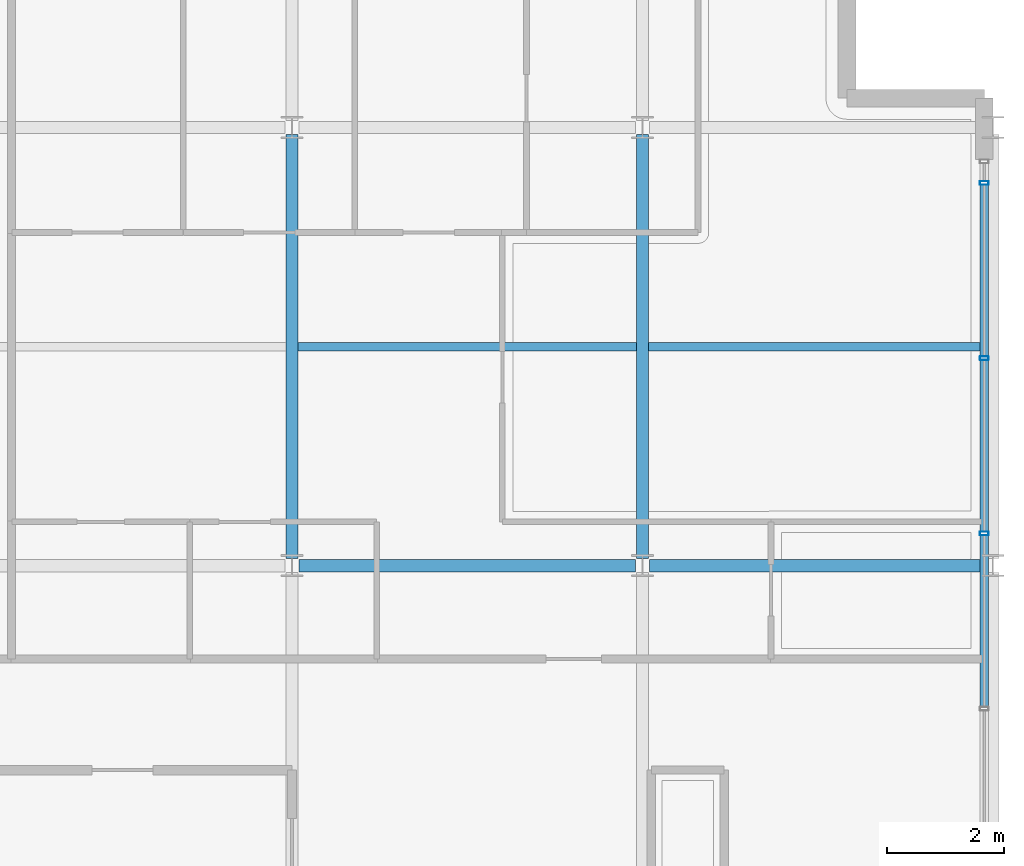
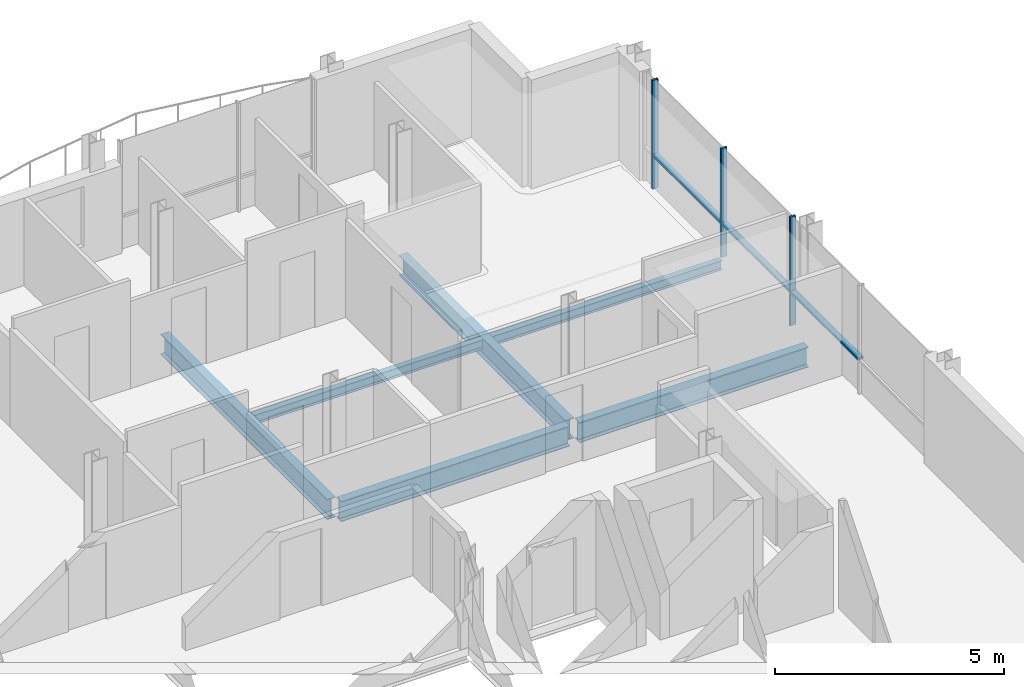
# One storey, part 13 of 29: 6 beams, 6 members, 1 element without a shape of its own.
"""IFC4 building model written with IfcOpenShell, lengths in metres."""

from ifc_helpers import new_model, si_unit, direction, frame, origin, origin_2d, place, context, subcontext, project, spatial, hollow_rectangle, i_section, extrude, material, layer, layer_set, material_profile, profile_set, type_object, element, aggregate, save


model = new_model("IFC4")

# Units and contexts
model_context = context("Model", 3, precision=1e-05, world=origin(), true_north=direction((0.0, 1.0)))
body_context = subcontext(model_context, "Body", "Model", "MODEL_VIEW")
ifc_project = project(units=[si_unit("LENGTHUNIT", "METRE"), si_unit("AREAUNIT", "SQUARE_METRE"), si_unit("VOLUMEUNIT", "CUBIC_METRE"), si_unit("PLANEANGLEUNIT", "RADIAN"), si_unit("MASSUNIT", "GRAM", prefix="KILO")], contexts=[model_context])

# Site, building, storey
site_placement = place(None, origin())
site = spatial("IfcSite", under=ifc_project, at=site_placement, CompositionType="ELEMENT")
building_placement = place(site_placement, origin())
building = spatial("IfcBuilding", under=site, at=building_placement, Name="Brevholm Reach", CompositionType="ELEMENT")
storey_placement = place(building_placement, frame((0.0, 0.0, 208.0)))
storey = spatial("IfcBuildingStorey", under=building, at=storey_placement, Name="L63", CompositionType="ELEMENT", Elevation=208.0)

# Beams
ifc_material_1 = material(Name="Structural Steel S355J2", Category="steel")
ifc_material_profile_1 = material_profile(ifc_material_1, i_section(OverallWidth=0.14599609375, OverallDepth=0.25146484375, WebThickness=0.006103515625, FlangeThickness=0.008544921875, FilletRadius=0.007568359375, at=origin_2d()), Name="UKB 254x146x31")
ifc_profile_set_1 = profile_set([ifc_material_profile_1], Name="Structural Steel S355J2")
beam_type_1 = type_object("IfcBeamType", Name="BM-B254", PredefinedType="BEAM", material=ifc_profile_set_1)
beam_1_placement = place(storey_placement, frame((48.10546875, 19.75, -0.335693359375), z_axis=(1.0, 0.0, 0.0), x_axis=(0.0, 1.0, 0.0)))
element("IfcBeam", 1, at=beam_1_placement, inside=storey, type_object=beam_type_1, Name="L63 Composite Secondary Floor Beam", PredefinedType="BEAM", context=body_context, shape_type="SweptSolid", body=[
    extrude(i_section(OverallWidth=0.14599609375, OverallDepth=0.25146484375, WebThickness=0.006103515625, FlangeThickness=0.008544921875, FilletRadius=0.007568359375, at=origin_2d()), origin(), (0.0, 0.0, 1.0), 5.7890625),
])
beam_2_placement = place(storey_placement, frame((54.10546875, 19.75, -0.335693359375), z_axis=(1.0, 0.0, 0.0), x_axis=(0.0, 1.0, 0.0)))
element("IfcBeam", 2, at=beam_2_placement, inside=storey, type_object=beam_type_1, Name="L63 Composite Secondary Floor Beam", PredefinedType="BEAM", context=body_context, shape_type="SweptSolid", body=[
    extrude(i_section(OverallWidth=0.14599609375, OverallDepth=0.25146484375, WebThickness=0.006103515625, FlangeThickness=0.008544921875, FilletRadius=0.007568359375, at=origin_2d()), origin(), (0.0, 0.0, 1.0), 5.789794921875),
])
ifc_material_2 = material(Name="Structural Steel S355J2", Category="steel")
ifc_material_profile_2 = material_profile(ifc_material_2, i_section(OverallWidth=0.210693359375, OverallDepth=0.53955078125, WebThickness=0.01171875, FlangeThickness=0.018798828125, FilletRadius=0.0126953125, at=origin_2d()), Name="UKB 533x210x109")
ifc_profile_set_2 = profile_set([ifc_material_profile_2], Name="Structural Steel S355J2")
beam_type_2 = type_object("IfcBeamType", Name="BM-SP539", PredefinedType="SPANDREL", material=ifc_profile_set_2)
for number, where, z_axis, x_axis, name in (
    (3, (48.1201171875, 16.0, -0.479736328125), (1.0, 0.0, 0.0), (0.0, 1.0, 0.0), "L63 SP-01B Framing Beam"),
    (4, (54.1201171875, 16.0, -0.479736328125), (1.0, 0.0, 0.0), (0.0, 1.0, 0.0), "L63 SP-01B Framing Beam"),
):
    element("IfcBeam", number, at=place(storey_placement, frame(where, z_axis=z_axis, x_axis=x_axis)), inside=storey, type_object=beam_type_2, Name=name, PredefinedType="SPANDREL", context=body_context, shape_type="SweptSolid", body=[
        extrude(i_section(OverallWidth=0.210693359375, OverallDepth=0.53955078125, WebThickness=0.01171875, FlangeThickness=0.018798828125, FilletRadius=0.0126953125, at=origin_2d()), origin(), (0.0, 0.0, 1.0), 5.759765625),
    ])
for number, where, z_axis, x_axis, name in (
    (5, (48.0, 16.1201171875, -0.479736328125), (0.0, 1.0, 0.0), (-1.0, 0.0, 0.0), "L63 SP-01B Framing Beam"),
    (6, (54.0, 16.1201171875, -0.479736328125), (0.0, 1.0, 0.0), (-1.0, 0.0, 0.0), "L63 SP-01B Framing Beam"),
):
    element("IfcBeam", number, at=place(storey_placement, frame(where, z_axis=z_axis, x_axis=x_axis)), inside=storey, type_object=beam_type_2, Name=name, PredefinedType="SPANDREL", context=body_context, shape_type="SweptSolid", body=[
        extrude(i_section(OverallWidth=0.210693359375, OverallDepth=0.53955078125, WebThickness=0.01171875, FlangeThickness=0.018798828125, FilletRadius=0.0126953125, at=origin_2d()), origin(), (0.0, 0.0, 1.0), 7.259765625),
    ])

# Curtain wall, members
ifc_material_3 = material(Name="Dark Anodised Aluminium 6063-T6 and Solar-Control Glass", Category="aluminium")
ifc_layer = layer(ifc_material_3, 0.14990234375)
ifc_layer_set = layer_set([ifc_layer], Name="Dark Anodised Aluminium 6063-T6 and Solar-Control Glass")
curtain_wall_type = type_object("IfcCurtainWallType", Name="CW-01", PredefinedType="NOTDEFINED", material=ifc_layer_set)
curtain_wall_placement = place(storey_placement, origin())
curtain_wall = element("IfcCurtainWall", 7, at=curtain_wall_placement, inside=storey, type_object=curtain_wall_type, Name="L63 Curtain Wall CW-01", PredefinedType="NOTDEFINED")
ifc_material_4 = material(Name="Dark Anodised Aluminium 6063-T6", Category="aluminium")
ifc_material_profile_3 = material_profile(ifc_material_4, hollow_rectangle(XDim=0.06494140625, YDim=0.14990234375, WallThickness=0.0048828125, InnerFilletRadius=0.0048828125, OuterFilletRadius=0.010009765625, at=origin_2d()), Name="RHS 150x65x5")
ifc_profile_set_3 = profile_set([ifc_material_profile_3], Name="Dark Anodised Aluminium 6063-T6")
member_type_1 = type_object("IfcMemberType", Name="CWM-150", PredefinedType="MULLION", material=ifc_profile_set_3)
member_1_placement = place(storey_placement, frame((59.85009765625, 16.550048828125, 0.0), z_axis=(0.0, 0.0, 1.0), x_axis=(0.0, 1.0, 0.0)))
member_1 = element("IfcMember", 8, at=member_1_placement, type_object=member_type_1, Name="CM-150 Mullion 3", PredefinedType="MULLION", context=body_context, shape_type="SweptSolid", body=[
    extrude(hollow_rectangle(XDim=0.06494140625, YDim=0.14990234375, WallThickness=0.0048828125, InnerFilletRadius=0.0048828125, OuterFilletRadius=0.010009765625, at=origin_2d()), origin(), (0.0, 0.0, 1.0), 2.889892578125),
])
member_2_placement = place(storey_placement, frame((59.85009765625, 19.550048828125, 0.0), z_axis=(0.0, 0.0, 1.0), x_axis=(0.0, 1.0, 0.0)))
member_2 = element("IfcMember", 9, at=member_2_placement, type_object=member_type_1, Name="CM-150 Mullion 4", PredefinedType="MULLION", context=body_context, shape_type="SweptSolid", body=[
    extrude(hollow_rectangle(XDim=0.06494140625, YDim=0.14990234375, WallThickness=0.0048828125, InnerFilletRadius=0.0048828125, OuterFilletRadius=0.010009765625, at=origin_2d()), origin(), (0.0, 0.0, 1.0), 2.889892578125),
])
member_3_placement = place(storey_placement, frame((59.85009765625, 22.550048828125, 0.0), z_axis=(0.0, 0.0, 1.0), x_axis=(0.0, 1.0, 0.0)))
member_3 = element("IfcMember", 10, at=member_3_placement, type_object=member_type_1, Name="CM-150 Mullion 5", PredefinedType="MULLION", context=body_context, shape_type="SweptSolid", body=[
    extrude(hollow_rectangle(XDim=0.06494140625, YDim=0.14990234375, WallThickness=0.0048828125, InnerFilletRadius=0.0048828125, OuterFilletRadius=0.010009765625, at=origin_2d()), origin(), (0.0, 0.0, 1.0), 2.889892578125),
])
ifc_material_5 = material(Name="Dark Anodised Aluminium 6063-T6", Category="aluminium")
ifc_material_profile_4 = material_profile(ifc_material_5, hollow_rectangle(XDim=0.06494140625, YDim=0.14990234375, WallThickness=0.0048828125, InnerFilletRadius=0.0048828125, OuterFilletRadius=0.010009765625, at=origin_2d()), Name="RHS 150x65x5")
ifc_profile_set_4 = profile_set([ifc_material_profile_4], Name="Dark Anodised Aluminium 6063-T6")
member_type_2 = type_object("IfcMemberType", Name="CWT-150", PredefinedType="NOTDEFINED", material=ifc_profile_set_4)
member_4_placement = place(storey_placement, frame((59.85009765625, 13.58251953125, 0.89990234375), z_axis=(0.0, 1.0, 0.0), x_axis=(0.0, 0.0, 1.0)))
member_4 = element("IfcMember", 11, at=member_4_placement, type_object=member_type_2, Name="CT-150 Transom 2.1", ObjectType="TRANSOM", PredefinedType="USERDEFINED", context=body_context, shape_type="SweptSolid", body=[
    extrude(hollow_rectangle(XDim=0.06494140625, YDim=0.14990234375, WallThickness=0.0048828125, InnerFilletRadius=0.0048828125, OuterFilletRadius=0.010009765625, at=origin_2d()), origin(), (0.0, 0.0, 1.0), 2.93505859375),
])
member_5_placement = place(storey_placement, frame((59.85009765625, 16.58251953125, 0.89990234375), z_axis=(0.0, 1.0, 0.0), x_axis=(0.0, 0.0, 1.0)))
member_5 = element("IfcMember", 12, at=member_5_placement, type_object=member_type_2, Name="CT-150 Transom 3.1", ObjectType="TRANSOM", PredefinedType="USERDEFINED", context=body_context, shape_type="SweptSolid", body=[
    extrude(hollow_rectangle(XDim=0.06494140625, YDim=0.14990234375, WallThickness=0.0048828125, InnerFilletRadius=0.0048828125, OuterFilletRadius=0.010009765625, at=origin_2d()), origin(), (0.0, 0.0, 1.0), 2.93505859375),
])
member_6_placement = place(storey_placement, frame((59.85009765625, 19.58251953125, 0.89990234375), z_axis=(0.0, 1.0, 0.0), x_axis=(0.0, 0.0, 1.0)))
member_6 = element("IfcMember", 13, at=member_6_placement, type_object=member_type_2, Name="CT-150 Transom 4.1", ObjectType="TRANSOM", PredefinedType="USERDEFINED", context=body_context, shape_type="SweptSolid", body=[
    extrude(hollow_rectangle(XDim=0.06494140625, YDim=0.14990234375, WallThickness=0.0048828125, InnerFilletRadius=0.0048828125, OuterFilletRadius=0.010009765625, at=origin_2d()), origin(), (0.0, 0.0, 1.0), 2.93505859375),
])
aggregate(curtain_wall, [member_1, member_2, member_3, member_4, member_5, member_6])

save(model, "model.ifc")
